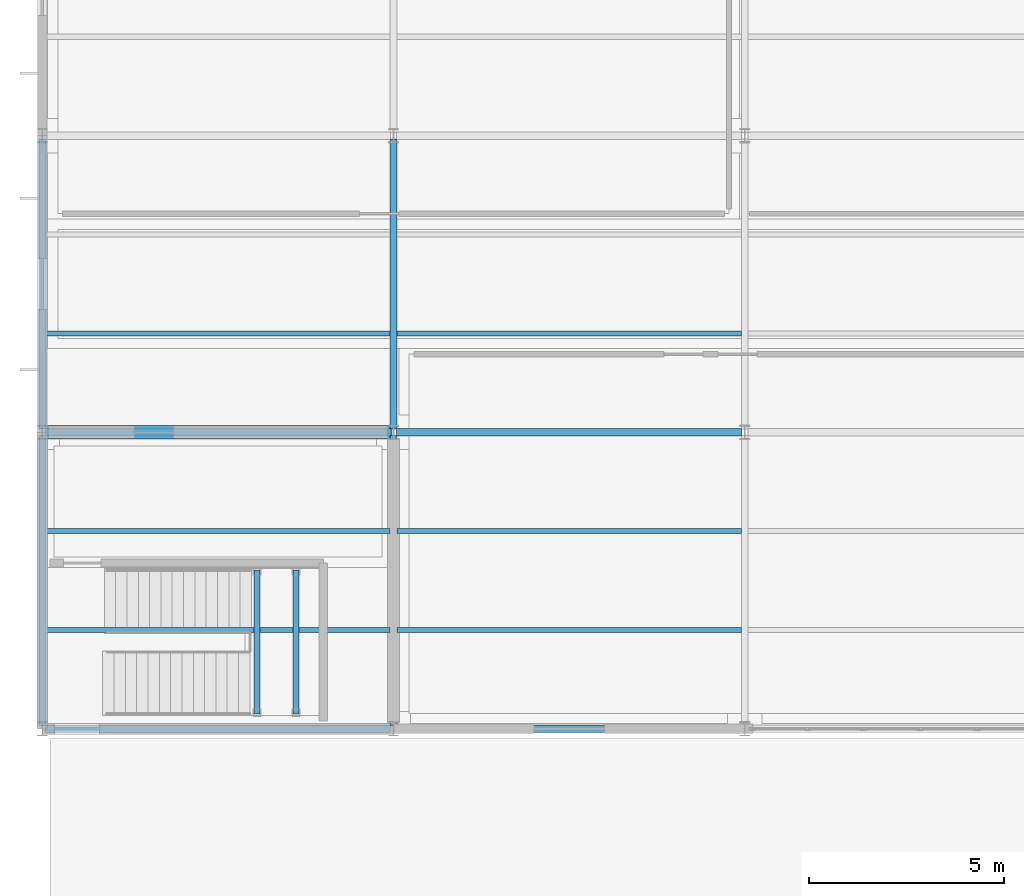
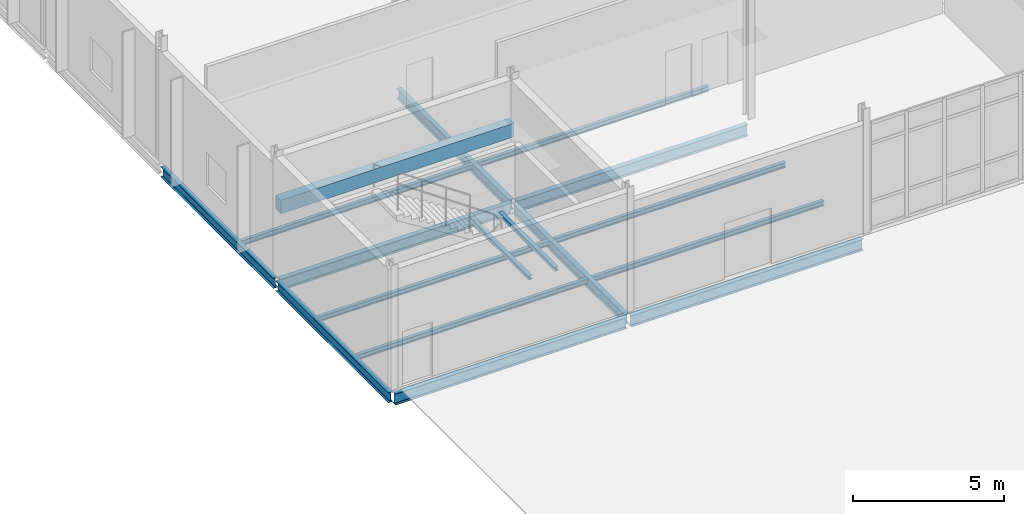
# One storey, part 65 of 161: 17 beams.
"""IFC4 building model written with IfcOpenShell, lengths in metres."""

from ifc_helpers import new_model, si_unit, direction, frame, origin, origin_2d, place, context, subcontext, project, spatial, rectangle, i_section, extrude, material, material_profile, profile_set, type_object, element, save


model = new_model("IFC4")

# Units and contexts
model_context = context("Model", 3, precision=1e-05, world=origin(), true_north=direction((0.0, 1.0)))
body_context = subcontext(model_context, "Body", "Model", "MODEL_VIEW")
ifc_project = project(units=[si_unit("LENGTHUNIT", "METRE"), si_unit("AREAUNIT", "SQUARE_METRE"), si_unit("VOLUMEUNIT", "CUBIC_METRE"), si_unit("PLANEANGLEUNIT", "RADIAN"), si_unit("MASSUNIT", "GRAM", prefix="KILO")], contexts=[model_context])

# Site, building, storey
site_placement = place(None, origin())
site = spatial("IfcSite", under=ifc_project, at=site_placement, CompositionType="ELEMENT")
building_placement = place(site_placement, origin())
building = spatial("IfcBuilding", under=site, at=building_placement, Name="Caisbarro Railhouse Central Library", CompositionType="ELEMENT")
storey_placement = place(building_placement, origin())
storey = spatial("IfcBuildingStorey", under=building, at=storey_placement, Name="L00", CompositionType="ELEMENT", Elevation=0.0)

# Beams
ifc_material_1 = material(Name="Steel ASTM A572 Grade 50", Category="steel")
ifc_material_profile_1 = material_profile(ifc_material_1, i_section(OverallWidth=0.18994140625, OverallDepth=0.45703125, WebThickness=0.009033203125, FlangeThickness=0.014404296875, FilletRadius=0.01806640625, at=origin_2d()), Name="W460X74.0")
ifc_profile_set_1 = profile_set([ifc_material_profile_1], Name="Steel ASTM A572 Grade 50")
beam_type_1 = type_object("IfcBeamType", Name="BM-G08", PredefinedType="BEAM", material=ifc_profile_set_1)
for number, where, z_axis, x_axis, name in (
    (1, (0.080078125, 91.199951171875, -0.478515625), (1.0, 0.0, 0.0), (0.0, 1.0, 0.0), "G08 beam L00 #385"),
    (2, (9.080078125, 91.199951171875, -0.478515625), (1.0, 0.0, 0.0), (0.0, 1.0, 0.0), "G08 beam L00 #386"),
):
    element("IfcBeam", number, at=place(storey_placement, frame(where, z_axis=z_axis, x_axis=x_axis)), inside=storey, type_object=beam_type_1, Name=name, PredefinedType="BEAM", context=body_context, shape_type="SweptSolid", body=[
        extrude(i_section(OverallWidth=0.18994140625, OverallDepth=0.45703125, WebThickness=0.009033203125, FlangeThickness=0.014404296875, FilletRadius=0.01806640625, at=origin_2d()), origin(), (0.0, 0.0, 1.0), 8.83984375),
    ])
ifc_material_profile_2 = material_profile(ifc_material_1, i_section(OverallWidth=0.177978515625, OverallDepth=0.406982421875, WebThickness=0.0078125, FlangeThickness=0.0126953125, FilletRadius=0.01611328125, at=origin_2d()), Name="W410X60.0")
ifc_profile_set_2 = profile_set([ifc_material_profile_2], Name="Steel ASTM A572 Grade 50")
beam_type_2 = type_object("IfcBeamType", Name="BM-G10", PredefinedType="BEAM", material=ifc_profile_set_2)
beam_1_placement = place(storey_placement, frame((0.0, 83.679931640625, -0.45361328125), z_axis=(0.0, 1.0, 0.0), x_axis=(-1.0, 0.0, 0.0)))
element("IfcBeam", 3, at=beam_1_placement, inside=storey, type_object=beam_type_2, Name="G10 beam L00 #401", PredefinedType="BEAM", context=body_context, shape_type="SweptSolid", body=[
    extrude(i_section(OverallWidth=0.177978515625, OverallDepth=0.406982421875, WebThickness=0.0078125, FlangeThickness=0.0126953125, FilletRadius=0.01611328125, at=origin_2d()), origin(), (0.0, 0.0, 1.0), 7.440185546875),
])
beam_2_placement = place(storey_placement, frame((0.0, 91.280029296875, -0.45361328125), z_axis=(0.0, 1.0, 0.0), x_axis=(-1.0, 0.0, 0.0)))
element("IfcBeam", 4, at=beam_2_placement, inside=storey, type_object=beam_type_2, Name="G10 beam L00 #402", PredefinedType="BEAM", context=body_context, shape_type="SweptSolid", body=[
    extrude(i_section(OverallWidth=0.177978515625, OverallDepth=0.406982421875, WebThickness=0.0078125, FlangeThickness=0.0126953125, FilletRadius=0.01611328125, at=origin_2d()), origin(), (0.0, 0.0, 1.0), 7.43994140625),
])
beam_3_placement = place(storey_placement, frame((9.0, 83.679931640625, -0.45361328125), z_axis=(0.0, 1.0, 0.0), x_axis=(-1.0, 0.0, 0.0)))
element("IfcBeam", 5, at=beam_3_placement, inside=storey, type_object=beam_type_2, Name="G10 beam L00 #405", PredefinedType="BEAM", context=body_context, shape_type="SweptSolid", body=[
    extrude(i_section(OverallWidth=0.177978515625, OverallDepth=0.406982421875, WebThickness=0.0078125, FlangeThickness=0.0126953125, FilletRadius=0.01611328125, at=origin_2d()), origin(), (0.0, 0.0, 1.0), 7.440185546875),
])
beam_4_placement = place(storey_placement, frame((9.0, 91.280029296875, -0.45361328125), z_axis=(0.0, 1.0, 0.0), x_axis=(-1.0, 0.0, 0.0)))
element("IfcBeam", 6, at=beam_4_placement, inside=storey, type_object=beam_type_2, Name="G10 beam L00 #406", PredefinedType="BEAM", context=body_context, shape_type="SweptSolid", body=[
    extrude(i_section(OverallWidth=0.177978515625, OverallDepth=0.406982421875, WebThickness=0.0078125, FlangeThickness=0.0126953125, FilletRadius=0.01611328125, at=origin_2d()), origin(), (0.0, 0.0, 1.0), 7.43994140625),
])
ifc_material_profile_3 = material_profile(ifc_material_1, i_section(OverallWidth=0.133056640625, OverallDepth=0.20703125, WebThickness=0.005859375, FlangeThickness=0.00830078125, FilletRadius=0.010009765625, at=origin_2d()), Name="W200X26.6")
ifc_profile_set_3 = profile_set([ifc_material_profile_3], Name="Steel ASTM A572 Grade 50")
beam_type_3 = type_object("IfcBeamType", Name="BM-J07", PredefinedType="JOIST", material=ifc_profile_set_3)
for number, where, z_axis, x_axis, name in (
    (7, (0.089111328125, 86.13330078125, -0.353515625), (1.0, 0.0, 0.0), (0.0, 1.0, 0.0), "J07 beam L00 #421"),
    (8, (0.089111328125, 88.666748046875, -0.353515625), (1.0, 0.0, 0.0), (0.0, 1.0, 0.0), "J07 beam L00 #422"),
    (9, (0.089111328125, 93.7333984375, -0.353515625), (1.0, 0.0, 0.0), (0.0, 1.0, 0.0), "J07 beam L00 #423"),
    (10, (9.089111328125, 86.13330078125, -0.353515625), (1.0, 0.0, 0.0), (0.0, 1.0, 0.0), "J07 beam L00 #429"),
    (11, (9.089111328125, 88.666748046875, -0.353515625), (1.0, 0.0, 0.0), (0.0, 1.0, 0.0), "J07 beam L00 #430"),
    (12, (9.089111328125, 93.7333984375, -0.353515625), (1.0, 0.0, 0.0), (0.0, 1.0, 0.0), "J07 beam L00 #431"),
):
    element("IfcBeam", number, at=place(storey_placement, frame(where, z_axis=z_axis, x_axis=x_axis)), inside=storey, type_object=beam_type_3, Name=name, PredefinedType="JOIST", context=body_context, shape_type="SweptSolid", body=[
        extrude(i_section(OverallWidth=0.133056640625, OverallDepth=0.20703125, WebThickness=0.005859375, FlangeThickness=0.00830078125, FilletRadius=0.010009765625, at=origin_2d()), origin(), (0.0, 0.0, 1.0), 8.82177734375),
    ])
ifc_material_2 = material(Name="Concrete C40", Category="concrete")
ifc_material_profile_4 = material_profile(ifc_material_2, rectangle(XDim=0.35009765625, YDim=0.550048828125, at=origin_2d()), Name="RC-LIN-350X550")
ifc_profile_set_4 = profile_set([ifc_material_profile_4], Name="Concrete C40")
beam_type_4 = type_object("IfcBeamType", Name="BM-LN00", PredefinedType="LINTEL", material=ifc_profile_set_4)
beam_5_placement = place(storey_placement, frame((0.050048828125, 91.199951171875, 2.72509765625), z_axis=(1.0, 0.0, 0.0), x_axis=(0.0, 1.0, 0.0)))
element("IfcBeam", 13, at=beam_5_placement, inside=storey, type_object=beam_type_4, Name="LN00 RC core coupling lintel K8 L00", PredefinedType="LINTEL", context=body_context, shape_type="SweptSolid", body=[
    extrude(rectangle(XDim=0.35009765625, YDim=0.550048828125, at=origin_2d()), origin(), (0.0, 0.0, 1.0), 8.89990234375),
])
ifc_material_profile_5 = material_profile(ifc_material_1, i_section(OverallWidth=0.152099609375, OverallDepth=0.152099609375, WebThickness=0.005859375, FlangeThickness=0.006591796875, FilletRadius=0.008056640625, at=origin_2d()), Name="W150X22.5")
ifc_profile_set_5 = profile_set([ifc_material_profile_5], Name="Steel ASTM A572 Grade 50")
beam_type_5 = type_object("IfcBeamType", Name="BM-SL00", PredefinedType="BEAM", material=ifc_profile_set_5)
for number, where, z_axis, x_axis, name in (
    (14, (5.5, 83.97998046875, 2.25390625), (0.0, 1.0, 0.0), (-1.0, 0.0, 0.0), "SL00 Stair Landing Support Beam K8 L00 W"),
    (15, (6.5, 83.97998046875, 2.25390625), (0.0, 1.0, 0.0), (-1.0, 0.0, 0.0), "SL00 Stair Landing Support Beam K8 L00 E"),
):
    element("IfcBeam", number, at=place(storey_placement, frame(where, z_axis=z_axis, x_axis=x_axis)), inside=storey, type_object=beam_type_5, Name=name, PredefinedType="BEAM", context=body_context, shape_type="SweptSolid", body=[
        extrude(i_section(OverallWidth=0.152099609375, OverallDepth=0.152099609375, WebThickness=0.005859375, FlangeThickness=0.006591796875, FilletRadius=0.008056640625, at=origin_2d()), origin(), (0.0, 0.0, 1.0), 3.68994140625),
    ])
ifc_material_profile_6 = material_profile(ifc_material_1, i_section(OverallWidth=0.18994140625, OverallDepth=0.45703125, WebThickness=0.009033203125, FlangeThickness=0.014404296875, FilletRadius=0.01806640625, at=origin_2d()), Name="W460X74.0")
ifc_profile_set_6 = profile_set([ifc_material_profile_6], Name="Steel ASTM A572 Grade 50")
beam_type_6 = type_object("IfcBeamType", Name="BM-SP01", PredefinedType="SPANDREL", material=ifc_profile_set_6)
for number, where, z_axis, x_axis, name in (
    (16, (0.080078125, 83.60009765625, -0.478515625), (1.0, 0.0, 0.0), (0.0, 1.0, 0.0), "SP01 beam L00 #381"),
    (17, (9.080078125, 83.60009765625, -0.478515625), (1.0, 0.0, 0.0), (0.0, 1.0, 0.0), "SP01 beam L00 #382"),
):
    element("IfcBeam", number, at=place(storey_placement, frame(where, z_axis=z_axis, x_axis=x_axis)), inside=storey, type_object=beam_type_6, Name=name, PredefinedType="SPANDREL", context=body_context, shape_type="SweptSolid", body=[
        extrude(i_section(OverallWidth=0.18994140625, OverallDepth=0.45703125, WebThickness=0.009033203125, FlangeThickness=0.014404296875, FilletRadius=0.01806640625, at=origin_2d()), origin(), (0.0, 0.0, 1.0), 8.83984375),
    ])

save(model, "model.ifc")
